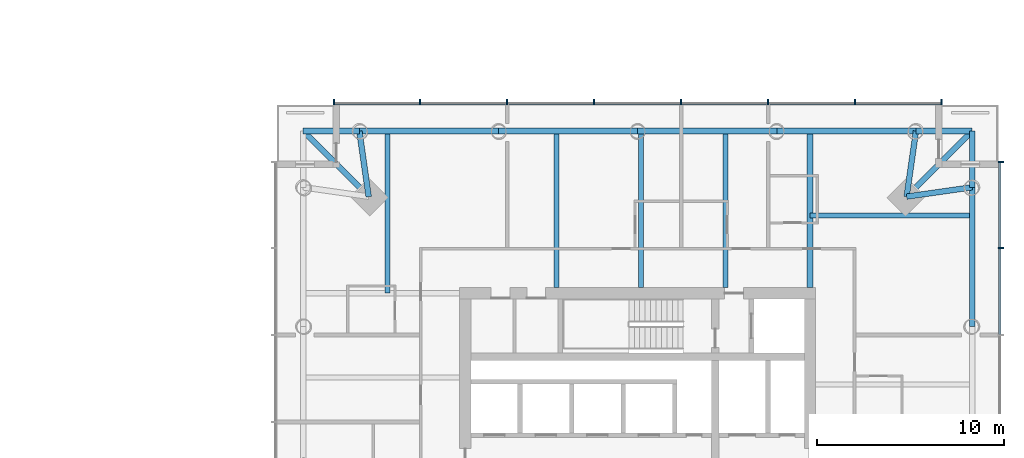
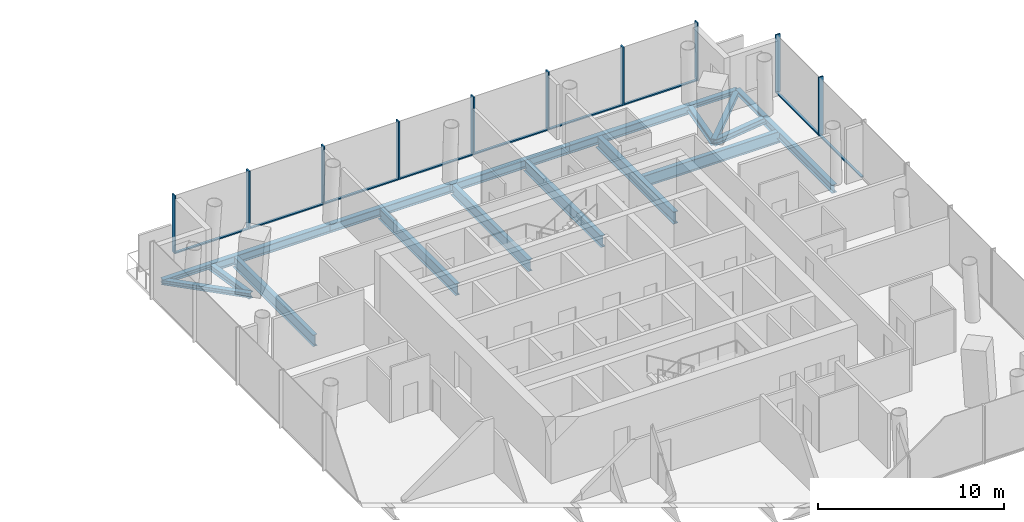
# One storey, part 7 of 21: 19 beams, 19 members, 2 elements without a shape of their own.
"""IFC4 building model written with IfcOpenShell, lengths in metres."""

from ifc_helpers import new_model, si_unit, direction, frame, origin, origin_2d, place, context, subcontext, project, spatial, rectangle, i_section, extrude, material, material_profile, profile_set, type_object, element, aggregate, save


model = new_model("IFC4")

# Units and contexts
model_context = context("Model", 3, precision=1e-05, world=origin(), true_north=direction((0.0, 1.0)))
body_context = subcontext(model_context, "Body", "Model", "MODEL_VIEW")
ifc_project = project(units=[si_unit("LENGTHUNIT", "METRE"), si_unit("AREAUNIT", "SQUARE_METRE"), si_unit("VOLUMEUNIT", "CUBIC_METRE"), si_unit("PLANEANGLEUNIT", "RADIAN"), si_unit("MASSUNIT", "GRAM", prefix="KILO")], contexts=[model_context])

# Site, building, storey
site_placement = place(None, origin())
site = spatial("IfcSite", under=ifc_project, at=site_placement, CompositionType="ELEMENT")
building_placement = place(site_placement, origin())
building = spatial("IfcBuilding", under=site, at=building_placement, Name="Ostroluk Exchange", CompositionType="ELEMENT")
storey_placement = place(building_placement, frame((0.0, 0.0, 47.60009765625)))
storey = spatial("IfcBuildingStorey", under=building, at=storey_placement, Name="L11", CompositionType="ELEMENT", Elevation=47.60009765625)

# Beams
ifc_material_1 = material(Name="Steel S355", Category="steel")
ifc_material_profile_1 = material_profile(ifc_material_1, i_section(OverallWidth=0.300048828125, OverallDepth=0.300048828125, WebThickness=0.010986328125, FlangeThickness=0.01904296875, FilletRadius=0.027099609375, at=origin_2d()), Name="HEB 300")
ifc_profile_set_1 = profile_set([ifc_material_profile_1], Name="Steel S355")
beam_type_1 = type_object("IfcBeamType", Name="Balcony beam HEB 300", PredefinedType="BEAM", material=ifc_profile_set_1)
for number, where, z_axis, x_axis, name in (
    (1, (134.853515625, 60.853515625, -0.35009765625), (0.0, 1.0, 0.0), (-1.0, 0.0, 0.0), "T2 east balcony beam a"),
    (2, (131.853515625, 63.853515625, -0.35009765625), (1.0, 0.0, 0.0), (0.0, 1.0, 0.0), "T2 east balcony beam b"),
):
    element("IfcBeam", number, at=place(storey_placement, frame(where, z_axis=z_axis, x_axis=x_axis)), inside=storey, type_object=beam_type_1, Name=name, PredefinedType="BEAM", context=body_context, shape_type="SweptSolid", body=[
        extrude(i_section(OverallWidth=0.300048828125, OverallDepth=0.300048828125, WebThickness=0.010986328125, FlangeThickness=0.01904296875, FilletRadius=0.027099609375, at=origin_2d()), origin(), (0.0, 0.0, 1.0), 3.0),
    ])
beam_1_placement = place(storey_placement, frame((131.353515625, 60.353515625, -0.35009765625), z_axis=(0.707106781187, 0.707106781187, 0.0), x_axis=(-0.707106781187, 0.707106781187, 0.0)))
element("IfcBeam", 3, at=beam_1_placement, inside=storey, type_object=beam_type_1, Name="T2 east balcony beam c", PredefinedType="BEAM", context=body_context, shape_type="SweptSolid", body=[
    extrude(i_section(OverallWidth=0.300048828125, OverallDepth=0.300048828125, WebThickness=0.010986328125, FlangeThickness=0.01904296875, FilletRadius=0.027099609375, at=origin_2d()), origin(), (0.0, 0.0, 1.0), 4.94970703125),
])
beam_2_placement = place(storey_placement, frame((102.146484375, 63.853515625, -0.35009765625), z_axis=(-1.0, 0.0, 0.0), x_axis=(0.0, -1.0, 0.0)))
element("IfcBeam", 4, at=beam_2_placement, inside=storey, type_object=beam_type_1, Name="T2 north balcony beam a", PredefinedType="BEAM", context=body_context, shape_type="SweptSolid", body=[
    extrude(i_section(OverallWidth=0.300048828125, OverallDepth=0.300048828125, WebThickness=0.010986328125, FlangeThickness=0.01904296875, FilletRadius=0.027099609375, at=origin_2d()), origin(), (0.0, 0.0, 1.0), 3.0),
])
beam_3_placement = place(storey_placement, frame((102.646484375, 60.353515625, -0.35009765625), z_axis=(-0.707106781187, 0.707106781187, 0.0), x_axis=(-0.707106781187, -0.707106781187, 0.0)))
element("IfcBeam", 5, at=beam_3_placement, inside=storey, type_object=beam_type_1, Name="T2 north balcony beam c", PredefinedType="BEAM", context=body_context, shape_type="SweptSolid", body=[
    extrude(i_section(OverallWidth=0.300048828125, OverallDepth=0.300048828125, WebThickness=0.010986328125, FlangeThickness=0.01904296875, FilletRadius=0.027099609375, at=origin_2d()), origin(), (0.0, 0.0, 1.0), 4.94970703125),
])
ifc_material_2 = material(Name="Steel S355", Category="steel")
ifc_material_profile_2 = material_profile(ifc_material_2, i_section(OverallWidth=0.300048828125, OverallDepth=0.39990234375, WebThickness=0.013427734375, FlangeThickness=0.02392578125, FilletRadius=0.027099609375, at=origin_2d()), Name="HEB 400")
ifc_profile_set_2 = profile_set([ifc_material_profile_2], Name="Steel S355")
beam_type_2 = type_object("IfcBeamType", Name="Corner edge beam HEB 400", PredefinedType="SPANDREL", material=ifc_profile_set_2)
for number, where, z_axis, x_axis, name in (
    (6, (131.353515625, 60.353515625, -0.400146484375), (0.989949493661, 0.141421356237, 0.0), (-0.141421356237, 0.989949493661, 0.0), "T2 east corner edge beam a"),
    (7, (131.353515625, 60.353515625, -0.400146484375), (0.141421356237, 0.989949493661, 0.0), (-0.989949493661, 0.141421356237, 0.0), "T2 east corner edge beam b"),
    (8, (102.646484375, 60.353515625, -0.400146484375), (-0.141421356237, 0.989949493661, 0.0), (-0.989949493661, -0.141421356237, 0.0), "T2 north corner edge beam a"),
):
    element("IfcBeam", number, at=place(storey_placement, frame(where, z_axis=z_axis, x_axis=x_axis)), inside=storey, type_object=beam_type_2, Name=name, PredefinedType="SPANDREL", context=body_context, shape_type="SweptSolid", body=[
        extrude(i_section(OverallWidth=0.300048828125, OverallDepth=0.39990234375, WebThickness=0.013427734375, FlangeThickness=0.02392578125, FilletRadius=0.027099609375, at=origin_2d()), origin(), (0.0, 0.0, 1.0), 3.53564453125),
    ])
ifc_material_3 = material(Name="Steel S355", Category="steel")
ifc_material_profile_3 = material_profile(ifc_material_3, i_section(OverallWidth=0.264892578125, OverallDepth=0.7529296875, WebThickness=0.01318359375, FlangeThickness=0.01708984375, FilletRadius=0.01708984375, at=origin_2d()), Name="IPE 750x147")
ifc_profile_set_3 = profile_set([ifc_material_profile_3], Name="Steel S355")
beam_type_3 = type_object("IfcBeamType", Name="Floor beam IPE 750x147", PredefinedType="BEAM", material=ifc_profile_set_3)
beam_4_placement = place(storey_placement, frame((126.199951171875, 59.344482421875, -0.57666015625), z_axis=(1.0, 0.0, 0.0), x_axis=(0.0, 1.0, 0.0)))
element("IfcBeam", 9, at=beam_4_placement, inside=storey, type_object=beam_type_3, Name="T2 east floor beam 5", PredefinedType="BEAM", context=body_context, shape_type="SweptSolid", body=[
    extrude(i_section(OverallWidth=0.264892578125, OverallDepth=0.7529296875, WebThickness=0.01318359375, FlangeThickness=0.01708984375, FilletRadius=0.01708984375, at=origin_2d()), origin(), (0.0, 0.0, 1.0), 8.653564453125),
])
for number, where, z_axis, x_axis, name in (
    (10, (121.691162109375, 55.5, -0.57666015625), (0.0, 1.0, 0.0), (-1.0, 0.0, 0.0), "T2 north floor beam 1"),
    (11, (117.18212890625, 55.5, -0.57666015625), (0.0, 1.0, 0.0), (-1.0, 0.0, 0.0), "T2 north floor beam 2"),
    (12, (112.67333984375, 55.5, -0.57666015625), (0.0, 1.0, 0.0), (-1.0, 0.0, 0.0), "T2 north floor beam 3"),
):
    element("IfcBeam", number, at=place(storey_placement, frame(where, z_axis=z_axis, x_axis=x_axis)), inside=storey, type_object=beam_type_3, Name=name, PredefinedType="BEAM", context=body_context, shape_type="SweptSolid", body=[
        extrude(i_section(OverallWidth=0.264892578125, OverallDepth=0.7529296875, WebThickness=0.01318359375, FlangeThickness=0.01708984375, FilletRadius=0.01708984375, at=origin_2d()), origin(), (0.0, 0.0, 1.0), 8.353515625),
    ])
beam_5_placement = place(storey_placement, frame((103.655517578125, 55.199951171875, -0.57666015625), z_axis=(0.0, 1.0, 0.0), x_axis=(-1.0, 0.0, 0.0)))
element("IfcBeam", 13, at=beam_5_placement, inside=storey, type_object=beam_type_3, Name="T2 north floor beam 5", PredefinedType="BEAM", context=body_context, shape_type="SweptSolid", body=[
    extrude(i_section(OverallWidth=0.264892578125, OverallDepth=0.7529296875, WebThickness=0.01318359375, FlangeThickness=0.01708984375, FilletRadius=0.01708984375, at=origin_2d()), origin(), (0.0, 0.0, 1.0), 8.653564453125),
])
ifc_material_4 = material(Name="Steel S355", Category="steel")
ifc_material_profile_4 = material_profile(ifc_material_4, i_section(OverallWidth=0.300048828125, OverallDepth=0.800048828125, WebThickness=0.017578125, FlangeThickness=0.032958984375, FilletRadius=0.030029296875, at=origin_2d()), Name="HEB 800")
ifc_profile_set_4 = profile_set([ifc_material_profile_4], Name="Steel S355")
beam_type_4 = type_object("IfcBeamType", Name="Girder HEB 800", PredefinedType="BEAM", material=ifc_profile_set_4)
beam_6_placement = place(storey_placement, frame((126.199951171875, 55.5, -0.60009765625), z_axis=(0.0, 1.0, 0.0), x_axis=(-1.0, 0.0, 0.0)))
element("IfcBeam", 14, at=beam_6_placement, inside=storey, type_object=beam_type_4, Name="T2 east girder", PredefinedType="BEAM", context=body_context, shape_type="SweptSolid", body=[
    extrude(i_section(OverallWidth=0.300048828125, OverallDepth=0.800048828125, WebThickness=0.017578125, FlangeThickness=0.032958984375, FilletRadius=0.030029296875, at=origin_2d()), origin(), (0.0, 0.0, 1.0), 8.353515625),
])
ifc_material_5 = material(Name="Steel S355", Category="steel")
ifc_material_profile_5 = material_profile(ifc_material_5, i_section(OverallWidth=0.300048828125, OverallDepth=0.550048828125, WebThickness=0.014892578125, FlangeThickness=0.029052734375, FilletRadius=0.027099609375, at=origin_2d()), Name="HEB 550")
ifc_profile_set_5 = profile_set([ifc_material_profile_5], Name="Steel S355")
beam_type_5 = type_object("IfcBeamType", Name="Moment-connected edge beam HEB 550", PredefinedType="SPANDREL", material=ifc_profile_set_5)
for number, where, z_axis, x_axis, name in (
    (15, (134.853515625, 53.4267578125, -0.47509765625), (0.0, 1.0, 0.0), (-1.0, 0.0, 0.0), "T2 east edge beam 4"),
    (16, (131.853515625, 63.853515625, -0.47509765625), (-1.0, 0.0, 0.0), (0.0, -1.0, 0.0), "T2 north edge beam 1"),
    (17, (124.4267578125, 63.853515625, -0.47509765625), (-1.0, 0.0, 0.0), (0.0, -1.0, 0.0), "T2 north edge beam 2"),
    (18, (117.0, 63.853515625, -0.47509765625), (-1.0, 0.0, 0.0), (0.0, -1.0, 0.0), "T2 north edge beam 3"),
    (19, (109.5732421875, 63.853515625, -0.47509765625), (-1.0, 0.0, 0.0), (0.0, -1.0, 0.0), "T2 north edge beam 4"),
):
    element("IfcBeam", number, at=place(storey_placement, frame(where, z_axis=z_axis, x_axis=x_axis)), inside=storey, type_object=beam_type_5, Name=name, PredefinedType="SPANDREL", context=body_context, shape_type="SweptSolid", body=[
        extrude(i_section(OverallWidth=0.300048828125, OverallDepth=0.550048828125, WebThickness=0.014892578125, FlangeThickness=0.029052734375, FilletRadius=0.027099609375, at=origin_2d()), origin(), (0.0, 0.0, 1.0), 7.4267578125),
    ])

# Curtain wall, members
ifc_material_6 = material(Name="Laminated clear glass", Category="glass")
curtain_wall_type = type_object("IfcCurtainWallType", Name="Hotel guest floor facade", PredefinedType="USERDEFINED", material=ifc_material_6)
curtain_wall_1_placement = place(storey_placement, origin())
curtain_wall_1 = element("IfcCurtainWall", 20, at=curtain_wall_1_placement, inside=storey, type_object=curtain_wall_type, Name="Hotel tower east facade L11", ObjectType="UNITISED CURTAIN WALL", PredefinedType="USERDEFINED")
ifc_material_7 = material(Name="Aluminium mullion", Category="aluminium")
ifc_material_profile_6 = material_profile(ifc_material_7, rectangle(XDim=0.14990234375, YDim=0.080078125, at=origin_2d()), Name="Sill transom 80 x 150")
ifc_profile_set_6 = profile_set([ifc_material_profile_6], Name="Aluminium mullion")
member_type_1 = type_object("IfcMemberType", Name="Sill transom 80 x 150", PredefinedType="USERDEFINED", material=ifc_profile_set_6)
member_1_placement = place(storey_placement, frame((136.324951171875, 53.00439453125, 0.039794921875), z_axis=(0.0, 1.0, 0.0), x_axis=(-1.0, 0.0, 0.0)))
member_1 = element("IfcMember", 21, at=member_1_placement, type_object=member_type_1, Name="CW-H1 transom 6.1", ObjectType="TRANSOM", PredefinedType="USERDEFINED", context=body_context, shape_type="SweptSolid", body=[
    extrude(rectangle(XDim=0.14990234375, YDim=0.080078125, at=origin_2d()), origin(), (0.0, 0.0, 1.0), 4.562744140625),
])
member_2_placement = place(storey_placement, frame((136.324951171875, 57.647216796875, 0.039794921875), z_axis=(0.0, 1.0, 0.0), x_axis=(-1.0, 0.0, 0.0)))
member_2 = element("IfcMember", 22, at=member_2_placement, type_object=member_type_1, Name="CW-H1 transom 7.1", ObjectType="TRANSOM", PredefinedType="USERDEFINED", context=body_context, shape_type="SweptSolid", body=[
    extrude(rectangle(XDim=0.14990234375, YDim=0.080078125, at=origin_2d()), origin(), (0.0, 0.0, 1.0), 4.522705078125),
])

curtain_wall_2_placement = place(storey_placement, origin())
curtain_wall_2 = element("IfcCurtainWall", 23, at=curtain_wall_2_placement, inside=storey, type_object=curtain_wall_type, Name="Hotel tower north facade L11", ObjectType="UNITISED CURTAIN WALL", PredefinedType="USERDEFINED")
member_3_placement = place(storey_placement, frame((133.169921875, 65.324951171875, 0.039794921875), z_axis=(-1.0, 0.0, 0.0), x_axis=(0.0, -1.0, 0.0)))
member_3 = element("IfcMember", 24, at=member_3_placement, type_object=member_type_1, Name="CW-H1 transom 1.1", ObjectType="TRANSOM", PredefinedType="USERDEFINED", context=body_context, shape_type="SweptSolid", body=[
    extrude(rectangle(XDim=0.14990234375, YDim=0.080078125, at=origin_2d()), origin(), (0.0, 0.0, 1.0), 4.522705078125),
])
member_4_placement = place(storey_placement, frame((128.567138671875, 65.324951171875, 0.039794921875), z_axis=(-1.0, 0.0, 0.0), x_axis=(0.0, -1.0, 0.0)))
member_4 = element("IfcMember", 25, at=member_4_placement, type_object=member_type_1, Name="CW-H1 transom 2.1", ObjectType="TRANSOM", PredefinedType="USERDEFINED", context=body_context, shape_type="SweptSolid", body=[
    extrude(rectangle(XDim=0.14990234375, YDim=0.080078125, at=origin_2d()), origin(), (0.0, 0.0, 1.0), 4.562744140625),
])
member_5_placement = place(storey_placement, frame((123.92431640625, 65.324951171875, 0.039794921875), z_axis=(-1.0, 0.0, 0.0), x_axis=(0.0, -1.0, 0.0)))
member_5 = element("IfcMember", 26, at=member_5_placement, type_object=member_type_1, Name="CW-H1 transom 3.1", ObjectType="TRANSOM", PredefinedType="USERDEFINED", context=body_context, shape_type="SweptSolid", body=[
    extrude(rectangle(XDim=0.14990234375, YDim=0.080078125, at=origin_2d()), origin(), (0.0, 0.0, 1.0), 4.56298828125),
])
member_6_placement = place(storey_placement, frame((119.281494140625, 65.324951171875, 0.039794921875), z_axis=(-1.0, 0.0, 0.0), x_axis=(0.0, -1.0, 0.0)))
member_6 = element("IfcMember", 27, at=member_6_placement, type_object=member_type_1, Name="CW-H1 transom 4.1", ObjectType="TRANSOM", PredefinedType="USERDEFINED", context=body_context, shape_type="SweptSolid", body=[
    extrude(rectangle(XDim=0.14990234375, YDim=0.080078125, at=origin_2d()), origin(), (0.0, 0.0, 1.0), 4.56298828125),
])
member_7_placement = place(storey_placement, frame((114.638671875, 65.324951171875, 0.039794921875), z_axis=(-1.0, 0.0, 0.0), x_axis=(0.0, -1.0, 0.0)))
member_7 = element("IfcMember", 28, at=member_7_placement, type_object=member_type_1, Name="CW-H1 transom 5.1", ObjectType="TRANSOM", PredefinedType="USERDEFINED", context=body_context, shape_type="SweptSolid", body=[
    extrude(rectangle(XDim=0.14990234375, YDim=0.080078125, at=origin_2d()), origin(), (0.0, 0.0, 1.0), 4.56298828125),
])
member_8_placement = place(storey_placement, frame((109.99560546875, 65.324951171875, 0.039794921875), z_axis=(-1.0, 0.0, 0.0), x_axis=(0.0, -1.0, 0.0)))
member_8 = element("IfcMember", 29, at=member_8_placement, type_object=member_type_1, Name="CW-H1 transom 6.1", ObjectType="TRANSOM", PredefinedType="USERDEFINED", context=body_context, shape_type="SweptSolid", body=[
    extrude(rectangle(XDim=0.14990234375, YDim=0.080078125, at=origin_2d()), origin(), (0.0, 0.0, 1.0), 4.562744140625),
])
member_9_placement = place(storey_placement, frame((105.352783203125, 65.324951171875, 0.039794921875), z_axis=(-1.0, 0.0, 0.0), x_axis=(0.0, -1.0, 0.0)))
member_9 = element("IfcMember", 30, at=member_9_placement, type_object=member_type_1, Name="CW-H1 transom 7.1", ObjectType="TRANSOM", PredefinedType="USERDEFINED", context=body_context, shape_type="SweptSolid", body=[
    extrude(rectangle(XDim=0.14990234375, YDim=0.080078125, at=origin_2d()), origin(), (0.0, 0.0, 1.0), 4.522705078125),
])

# Member
ifc_material_8 = material(Name="Aluminium mullion with limestone facing", Category="masonry")
ifc_material_profile_7 = material_profile(ifc_material_8, rectangle(XDim=0.300048828125, YDim=0.080078125, at=origin_2d()), Name="Tracery mullion 80 x 300")
ifc_profile_set_7 = profile_set([ifc_material_profile_7], Name="Aluminium mullion with limestone facing")
member_type_2 = type_object("IfcMemberType", Name="Tracery mullion 80 x 300", PredefinedType="MULLION", material=ifc_profile_set_7)
member_10_placement = place(storey_placement, frame((136.39990234375, 57.607177734375, 0.0), z_axis=(0.0, 0.0, 1.0), x_axis=(-1.0, 0.0, 0.0)))
member_10 = element("IfcMember", 31, at=member_10_placement, type_object=member_type_2, Name="CW-H1 mullion 7", PredefinedType="MULLION", context=body_context, shape_type="SweptSolid", body=[
    extrude(rectangle(XDim=0.300048828125, YDim=0.080078125, at=origin_2d()), origin(), (0.0, 0.0, 1.0), 3.7998046875),
])

member_11_placement = place(storey_placement, frame((136.39990234375, 62.2099609375, 0.0), z_axis=(0.0, 0.0, 1.0), x_axis=(-1.0, 0.0, 0.0)))
member_11 = element("IfcMember", 32, at=member_11_placement, type_object=member_type_2, Name="CW-H1 mullion 8", PredefinedType="MULLION", context=body_context, shape_type="SweptSolid", body=[
    extrude(rectangle(XDim=0.300048828125, YDim=0.080078125, at=origin_2d()), origin(), (0.0, 0.0, 1.0), 3.7998046875),
])

aggregate(curtain_wall_1, [member_10, member_11, member_1, member_2])

member_12_placement = place(storey_placement, frame((133.2099609375, 65.39990234375, 0.0), z_axis=(0.0, 0.0, 1.0), x_axis=(0.0, -1.0, 0.0)))
member_12 = element("IfcMember", 33, at=member_12_placement, type_object=member_type_2, Name="CW-H1 mullion 1", PredefinedType="MULLION", context=body_context, shape_type="SweptSolid", body=[
    extrude(rectangle(XDim=0.300048828125, YDim=0.080078125, at=origin_2d()), origin(), (0.0, 0.0, 1.0), 3.7998046875),
])

member_13_placement = place(storey_placement, frame((128.607177734375, 65.39990234375, 0.0), z_axis=(0.0, 0.0, 1.0), x_axis=(0.0, -1.0, 0.0)))
member_13 = element("IfcMember", 34, at=member_13_placement, type_object=member_type_2, Name="CW-H1 mullion 2", PredefinedType="MULLION", context=body_context, shape_type="SweptSolid", body=[
    extrude(rectangle(XDim=0.300048828125, YDim=0.080078125, at=origin_2d()), origin(), (0.0, 0.0, 1.0), 3.7998046875),
])

member_14_placement = place(storey_placement, frame((123.96435546875, 65.39990234375, 0.0), z_axis=(0.0, 0.0, 1.0), x_axis=(0.0, -1.0, 0.0)))
member_14 = element("IfcMember", 35, at=member_14_placement, type_object=member_type_2, Name="CW-H1 mullion 3", PredefinedType="MULLION", context=body_context, shape_type="SweptSolid", body=[
    extrude(rectangle(XDim=0.300048828125, YDim=0.080078125, at=origin_2d()), origin(), (0.0, 0.0, 1.0), 3.7998046875),
])

member_15_placement = place(storey_placement, frame((119.321533203125, 65.39990234375, 0.0), z_axis=(0.0, 0.0, 1.0), x_axis=(0.0, -1.0, 0.0)))
member_15 = element("IfcMember", 36, at=member_15_placement, type_object=member_type_2, Name="CW-H1 mullion 4", PredefinedType="MULLION", context=body_context, shape_type="SweptSolid", body=[
    extrude(rectangle(XDim=0.300048828125, YDim=0.080078125, at=origin_2d()), origin(), (0.0, 0.0, 1.0), 3.7998046875),
])

member_16_placement = place(storey_placement, frame((114.678466796875, 65.39990234375, 0.0), z_axis=(0.0, 0.0, 1.0), x_axis=(0.0, -1.0, 0.0)))
member_16 = element("IfcMember", 37, at=member_16_placement, type_object=member_type_2, Name="CW-H1 mullion 5", PredefinedType="MULLION", context=body_context, shape_type="SweptSolid", body=[
    extrude(rectangle(XDim=0.300048828125, YDim=0.080078125, at=origin_2d()), origin(), (0.0, 0.0, 1.0), 3.7998046875),
])

member_17_placement = place(storey_placement, frame((110.03564453125, 65.39990234375, 0.0), z_axis=(0.0, 0.0, 1.0), x_axis=(0.0, -1.0, 0.0)))
member_17 = element("IfcMember", 38, at=member_17_placement, type_object=member_type_2, Name="CW-H1 mullion 6", PredefinedType="MULLION", context=body_context, shape_type="SweptSolid", body=[
    extrude(rectangle(XDim=0.300048828125, YDim=0.080078125, at=origin_2d()), origin(), (0.0, 0.0, 1.0), 3.7998046875),
])

member_18_placement = place(storey_placement, frame((105.392822265625, 65.39990234375, 0.0), z_axis=(0.0, 0.0, 1.0), x_axis=(0.0, -1.0, 0.0)))
member_18 = element("IfcMember", 39, at=member_18_placement, type_object=member_type_2, Name="CW-H1 mullion 7", PredefinedType="MULLION", context=body_context, shape_type="SweptSolid", body=[
    extrude(rectangle(XDim=0.300048828125, YDim=0.080078125, at=origin_2d()), origin(), (0.0, 0.0, 1.0), 3.7998046875),
])

member_19_placement = place(storey_placement, frame((100.7900390625, 65.39990234375, 0.0), z_axis=(0.0, 0.0, 1.0), x_axis=(0.0, -1.0, 0.0)))
member_19 = element("IfcMember", 40, at=member_19_placement, type_object=member_type_2, Name="CW-H1 mullion 8", PredefinedType="MULLION", context=body_context, shape_type="SweptSolid", body=[
    extrude(rectangle(XDim=0.300048828125, YDim=0.080078125, at=origin_2d()), origin(), (0.0, 0.0, 1.0), 3.7998046875),
])

aggregate(curtain_wall_2, [member_12, member_13, member_14, member_15, member_16, member_17, member_18, member_19, member_3, member_4, member_5, member_6, member_7, member_8, member_9])

save(model, "model.ifc")
